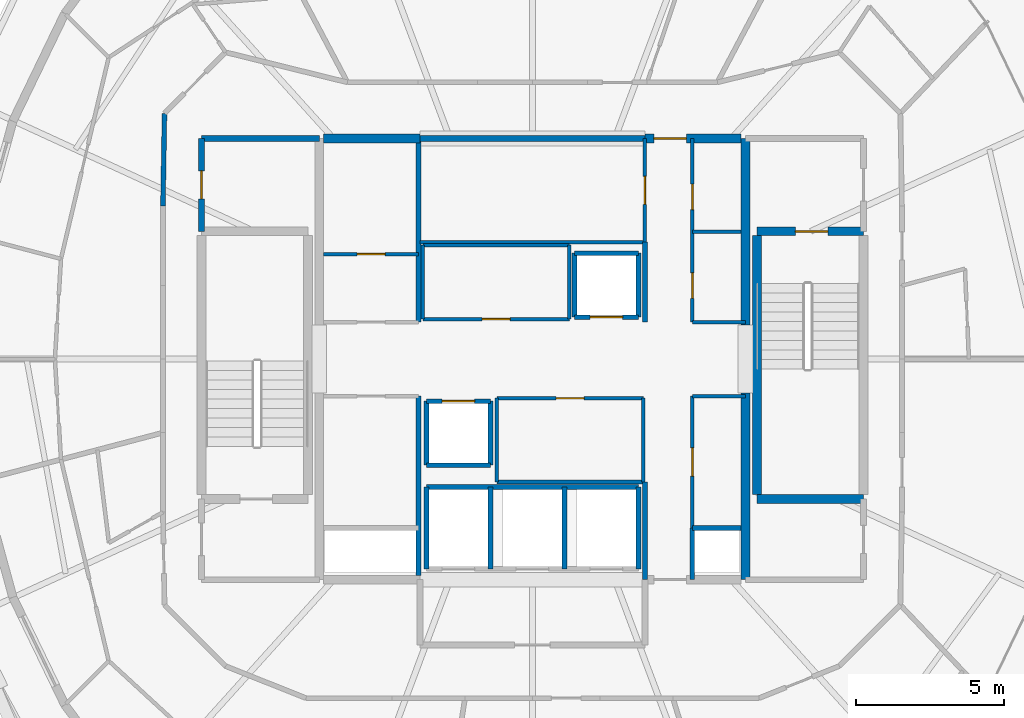
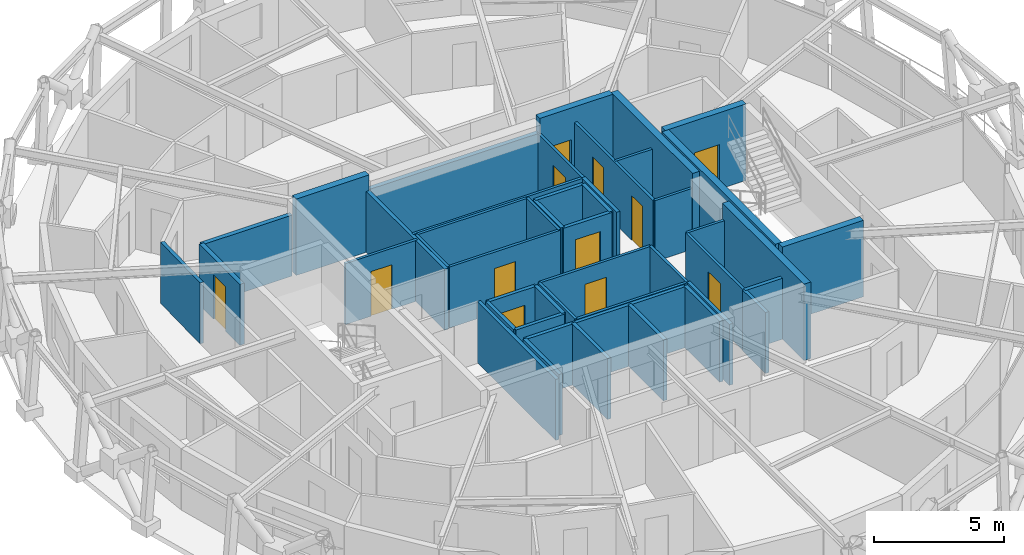
# One storey, part 12 of 15: 46 walls, 12 doors, 12 openings.
"""IFC4 building model written with IfcOpenShell, lengths in metres."""

from ifc_helpers import new_model, si_unit, direction, frame, frame_2d, origin, place, context, subcontext, project, spatial, rectangle, extrude, material, layer, layer_set, type_object, element, fill, save


model = new_model("IFC4")

# Units and contexts
model_context = context("Model", 3, precision=1e-05, world=origin(), true_north=direction((0.0, 1.0)))
body_context = subcontext(model_context, "Body", "Model", "MODEL_VIEW")
ifc_project = project(units=[si_unit("LENGTHUNIT", "METRE"), si_unit("AREAUNIT", "SQUARE_METRE"), si_unit("VOLUMEUNIT", "CUBIC_METRE"), si_unit("PLANEANGLEUNIT", "RADIAN"), si_unit("MASSUNIT", "GRAM", prefix="KILO")], contexts=[model_context])

# Site, building, storey
site_placement = place(None, origin())
site = spatial("IfcSite", under=ifc_project, at=site_placement, CompositionType="ELEMENT")
building_placement = place(site_placement, origin())
building = spatial("IfcBuilding", under=site, at=building_placement, Name="Veldorina Hangang Commons", CompositionType="ELEMENT")
storey_placement = place(building_placement, frame((0.0, 0.0, 276.0)))
storey = spatial("IfcBuildingStorey", under=building, at=storey_placement, Name="L72", CompositionType="ELEMENT", Elevation=276.0)

# Walls
ifc_material_1 = material(Name="Concrete C50/60", Category="concrete")
ifc_layer_1 = layer(ifc_material_1, 0.300048828125)
ifc_layer_set_1 = layer_set([ifc_layer_1], Name="Concrete C50/60")
wall_type_1 = type_object("IfcWallType", Name="CW-RC300-C50", PredefinedType="SHEAR", material=ifc_layer_set_1)
for number, where, z_axis, x_axis, name in (
    (1, (39.199951171875, 16.550048828125, 0.0), (0.0, 0.0, 1.0), (0.0, 1.0, 0.0), "L72 E south core shear wall"),
    (2, (39.199951171875, 25.14990234375, 0.0), (0.0, 0.0, 1.0), (0.0, 1.0, 0.0), "L72 E north core shear wall"),
):
    element("IfcWall", number, at=place(storey_placement, frame(where, z_axis=z_axis, x_axis=x_axis)), inside=storey, type_object=wall_type_1, Name=name, PredefinedType="SHEAR", context=body_context, shape_type="SweptSolid", body=[
        extrude(rectangle(XDim=6.300048828125, YDim=0.300048828125, at=frame_2d((3.14990234375, 0.0))), origin(), (0.0, 0.0, 1.0), 3.60009765625),
    ])
wall_1_placement = place(storey_placement, frame((24.949951171875, 31.449951171875, 0.0), z_axis=(0.0, 0.0, 1.0), x_axis=(1.0, 0.0, 0.0)))
element("IfcWall", 3, at=wall_1_placement, inside=storey, type_object=wall_type_1, Name="L72 north-west core shear wall", PredefinedType="SHEAR", context=body_context, shape_type="SweptSolid", body=[
    extrude(rectangle(XDim=3.25, YDim=0.300048828125, at=frame_2d((1.625, 0.0))), origin(), (0.0, 0.0, 1.0), 3.60009765625),
])

# Wall, opening, door
wall_2_placement = place(storey_placement, frame((35.800048828125, 31.449951171875, 0.0), z_axis=(0.0, 0.0, 1.0), x_axis=(1.0, 0.0, 0.0)))
wall_2 = element("IfcWall", 4, at=wall_2_placement, inside=storey, type_object=wall_type_1, Name="L72 north-east core shear wall", PredefinedType="SHEAR", context=body_context, shape_type="SweptSolid", body=[
    extrude(rectangle(XDim=3.25, YDim=0.300048828125, at=frame_2d((1.625, 0.0))), origin(), (0.0, 0.0, 1.0), 3.60009765625),
])
opening_1_placement = place(wall_2_placement, frame((0.300048828125, 0.0, 0.0)))
opening_1 = element("IfcOpeningElement", 5, at=opening_1_placement, cuts=wall_2, Name="Opening D-08", PredefinedType="OPENING", context=body_context, shape_type="SweptSolid", body=[
    extrude(rectangle(XDim=1.10009765625, YDim=2.10009765625, at=frame_2d((0.550048828125, 1.050048828125))), frame((0.0, 0.16015625, 0.0), z_axis=(0.0, -1.0, 0.0), x_axis=(1.0, 0.0, 0.0)), (0.0, 0.0, 1.0), 0.320068359375),
])
ifc_material_2 = material(Name="Steel Fire-Rated Smoke Seal", Category="steel")
door_type_1 = type_object("IfcDoorType", Name="DR-FIRE-1100", OperationType="SINGLE_SWING_RIGHT", PredefinedType="DOOR", material=ifc_material_2)
door_1_placement = place(opening_1_placement, origin())
door_1 = element("IfcDoor", 6, at=door_1_placement, inside=storey, type_object=door_type_1, Name="L72 central lift lobby north corridor door", OperationType="SINGLE_SWING_LEFT", OverallHeight=2.10009765625, OverallWidth=1.10009765625, PredefinedType="DOOR", context=body_context, shape_type="SweptSolid", body=[
    extrude(rectangle(XDim=1.10009765625, YDim=2.10009765625, at=frame_2d((0.550048828125, 1.050048828125))), frame((0.0, 0.02490234375, 0.0), z_axis=(0.0, -1.0, 0.0), x_axis=(1.0, 0.0, 0.0)), (0.0, 0.0, 1.0), 0.050048828125),
])
fill(opening_1, door_1)

# Walls
ifc_layer_2 = layer(ifc_material_1, 0.300048828125)
ifc_layer_set_2 = layer_set([ifc_layer_2], Name="Concrete C50/60")
wall_type_2 = type_object("IfcWallType", Name="SW-STAIR-300", PredefinedType="SHEAR", material=ifc_layer_set_2)
wall_3_placement = place(storey_placement, frame((39.580078125, 19.429931640625, 0.0), z_axis=(0.0, 0.0, 1.0), x_axis=(0.0, 1.0, 0.0)))
element("IfcWall", 7, at=wall_3_placement, inside=storey, type_object=wall_type_2, Name="L72 ST2 inner stair shear wall", PredefinedType="SHEAR", context=body_context, shape_type="SweptSolid", body=[
    extrude(rectangle(XDim=8.739990234375, YDim=0.300048828125, at=frame_2d((4.3701171875, 0.0))), origin(), (0.0, 0.0, 1.0), 3.60009765625),
])
wall_4_placement = place(storey_placement, frame((39.580078125, 19.280029296875, 0.0), z_axis=(0.0, 0.0, 1.0), x_axis=(1.0, 0.0, 0.0)))
element("IfcWall", 8, at=wall_4_placement, inside=storey, type_object=wall_type_2, Name="L72 ST2 south stair shear wall", PredefinedType="SHEAR", context=body_context, shape_type="SweptSolid", body=[
    extrude(rectangle(XDim=3.599853515625, YDim=0.300048828125, at=frame_2d((1.7998046875, 0.0))), origin(), (0.0, 0.0, 1.0), 3.60009765625),
])

# Wall, opening, door
wall_5_placement = place(storey_placement, frame((39.580078125, 28.320068359375, 0.0), z_axis=(0.0, 0.0, 1.0), x_axis=(1.0, 0.0, 0.0)))
wall_5 = element("IfcWall", 9, at=wall_5_placement, inside=storey, type_object=wall_type_2, Name="L72 ST2 north stair shear wall", PredefinedType="SHEAR", context=body_context, shape_type="SweptSolid", body=[
    extrude(rectangle(XDim=3.599853515625, YDim=0.300048828125, at=frame_2d((1.7998046875, 0.0))), origin(), (0.0, 0.0, 1.0), 3.60009765625),
])
opening_2_placement = place(wall_5_placement, frame((1.300048828125, 0.0, 0.0)))
opening_2 = element("IfcOpeningElement", 10, at=opening_2_placement, cuts=wall_5, Name="Opening D-08", PredefinedType="OPENING", context=body_context, shape_type="SweptSolid", body=[
    extrude(rectangle(XDim=1.10009765625, YDim=2.10009765625, at=frame_2d((0.550048828125, 1.050048828125))), frame((0.0, 0.16015625, 0.0), z_axis=(0.0, -1.0, 0.0), x_axis=(1.0, 0.0, 0.0)), (0.0, 0.0, 1.0), 0.320068359375),
])
door_2_placement = place(opening_2_placement, origin())
door_2 = element("IfcDoor", 11, at=door_2_placement, inside=storey, type_object=door_type_1, Name="L72 Special Escape Stair ST-2 door", OperationType="SINGLE_SWING_RIGHT", OverallHeight=2.10009765625, OverallWidth=1.10009765625, PredefinedType="DOOR", context=body_context, shape_type="SweptSolid", body=[
    extrude(rectangle(XDim=1.10009765625, YDim=2.10009765625, at=frame_2d((0.550048828125, 1.050048828125))), frame((0.0, 0.02490234375, 0.0), z_axis=(0.0, -1.0, 0.0), x_axis=(1.0, 0.0, 0.0)), (0.0, 0.0, 1.0), 0.050048828125),
])
fill(opening_2, door_2)

# Walls
ifc_material_3 = material(Name="Gypsum Fire-Rated Twin Stud Wall", Category="gypsum")
ifc_layer_3 = layer(ifc_material_3, 0.159912109375)
ifc_layer_set_3 = layer_set([ifc_layer_3], Name="Gypsum Fire-Rated Twin Stud Wall")
wall_type_3 = type_object("IfcWallType", Name="WL-FIRE-160", PredefinedType="SOLIDWALL", material=ifc_layer_set_3)
wall_6_placement = place(storey_placement, frame((35.800048828125, 16.550048828125, 0.0), z_axis=(0.0, 0.0, 1.0), x_axis=(0.0, 1.0, 0.0)))
element("IfcWall", 12, at=wall_6_placement, inside=storey, type_object=wall_type_3, Name="L72 Lift passage SW wall 009", PredefinedType="SOLIDWALL", context=body_context, shape_type="SweptSolid", body=[
    extrude(rectangle(XDim=3.300048828125, YDim=0.159912109375, at=frame_2d((1.64990234375, 0.0))), origin(), (0.0, 0.0, 1.0), 2.8701171875),
])
wall_7_placement = place(storey_placement, frame((37.39990234375, 16.550048828125, 0.0), z_axis=(0.0, 0.0, 1.0), x_axis=(0.0, 1.0, 0.0)))
element("IfcWall", 13, at=wall_7_placement, inside=storey, type_object=wall_type_3, Name="L72 Lift passage SE stub 010", PredefinedType="SOLIDWALL", context=body_context, shape_type="SweptSolid", body=[
    extrude(rectangle(XDim=1.75, YDim=0.159912109375, at=frame_2d((0.875, 0.0))), origin(), (0.0, 0.0, 1.0), 2.8701171875),
])
wall_8_placement = place(storey_placement, frame((35.800048828125, 25.25, 0.0), z_axis=(0.0, 0.0, 1.0), x_axis=(0.0, 1.0, 0.0)))
element("IfcWall", 14, at=wall_8_placement, inside=storey, type_object=wall_type_3, Name="L72 Lift passage NW lower wall 011", PredefinedType="SOLIDWALL", context=body_context, shape_type="SweptSolid", body=[
    extrude(rectangle(XDim=2.699951171875, YDim=0.159912109375, at=frame_2d((1.35009765625, 0.0))), origin(), (0.0, 0.0, 1.0), 2.8701171875),
])

# Wall, opening, door
wall_9_placement = place(storey_placement, frame((33.419921875, 25.419921875, 0.0), z_axis=(0.0, 0.0, 1.0), x_axis=(1.0, 0.0, 0.0)))
wall_9 = element("IfcWall", 15, at=wall_9_placement, inside=storey, type_object=wall_type_3, Name="L72 Mid-high front shaft wall 015", PredefinedType="SOLIDWALL", context=body_context, shape_type="SweptSolid", body=[
    extrude(rectangle(XDim=2.16015625, YDim=0.159912109375, at=frame_2d((1.080078125, 0.0))), origin(), (0.0, 0.0, 1.0), 2.8701171875),
])
opening_3_placement = place(wall_9_placement, frame((0.530029296875, 0.0, 0.0)))
opening_3 = element("IfcOpeningElement", 16, at=opening_3_placement, cuts=wall_9, Name="Opening LD-01", PredefinedType="OPENING", context=body_context, shape_type="SweptSolid", body=[
    extrude(rectangle(XDim=1.10009765625, YDim=2.14990234375, at=frame_2d((0.550048828125, 1.074951171875))), frame((0.0, 0.08984375, 0.0), z_axis=(0.0, -1.0, 0.0), x_axis=(1.0, 0.0, 0.0)), (0.0, 0.0, 1.0), 0.179931640625),
])
ifc_material_4 = material(Name="Stainless Steel Brushed Lift Door", Category="steel")
door_type_2 = type_object("IfcDoorType", Name="DR-LIFT-1100", OperationType="SLIDING_TO_LEFT", PredefinedType="DOOR", material=ifc_material_4)
door_3_placement = place(opening_3_placement, origin())
door_3 = element("IfcDoor", 17, at=door_3_placement, inside=storey, type_object=door_type_2, Name="L72 Lift PL-H1 landing door 006", OperationType="SLIDING_TO_RIGHT", OverallHeight=2.14990234375, OverallWidth=1.10009765625, PredefinedType="DOOR", context=body_context, shape_type="SweptSolid", body=[
    extrude(rectangle(XDim=1.10009765625, YDim=2.14990234375, at=frame_2d((0.550048828125, 1.074951171875))), frame((0.0, 0.02490234375, 0.0), z_axis=(0.0, -1.0, 0.0), x_axis=(1.0, 0.0, 0.0)), (0.0, 0.0, 1.0), 0.050048828125),
])
fill(opening_3, door_3)

# Walls
for number, where, z_axis, x_axis, name in (
    (18, (33.419921875, 27.580078125, 0.0), (0.0, 0.0, 1.0), (1.0, 0.0, 0.0), "L72 Mid-high rear shaft wall 016"),
    (19, (33.419921875, 25.419921875, 0.0), (0.0, 0.0, 1.0), (0.0, 1.0, 0.0), "L72 PL-H1 west shaft wall 017"),
    (20, (35.580078125, 25.419921875, 0.0), (0.0, 0.0, 1.0), (0.0, 1.0, 0.0), "L72 PL-H1 east shaft wall 018"),
):
    element("IfcWall", number, at=place(storey_placement, frame(where, z_axis=z_axis, x_axis=x_axis)), inside=storey, type_object=wall_type_3, Name=name, PredefinedType="SOLIDWALL", context=body_context, shape_type="SweptSolid", body=[
        extrude(rectangle(XDim=2.16015625, YDim=0.159912109375, at=frame_2d((1.080078125, 0.0))), origin(), (0.0, 0.0, 1.0), 2.8701171875),
    ])

# Wall, opening, door
wall_10_placement = place(storey_placement, frame((28.419921875, 22.580078125, 0.0), z_axis=(0.0, 0.0, 1.0), x_axis=(1.0, 0.0, 0.0)))
wall_10 = element("IfcWall", 21, at=wall_10_placement, inside=storey, type_object=wall_type_3, Name="L72 Shuttle-high front shaft wall 019", PredefinedType="SOLIDWALL", context=body_context, shape_type="SweptSolid", body=[
    extrude(rectangle(XDim=2.16015625, YDim=0.159912109375, at=frame_2d((1.080078125, 0.0))), origin(), (0.0, 0.0, 1.0), 2.8701171875),
])
opening_4_placement = place(wall_10_placement, frame((0.530029296875, 0.0, 0.0)))
opening_4 = element("IfcOpeningElement", 22, at=opening_4_placement, cuts=wall_10, Name="Opening LD-01", PredefinedType="OPENING", context=body_context, shape_type="SweptSolid", body=[
    extrude(rectangle(XDim=1.10009765625, YDim=2.14990234375, at=frame_2d((0.550048828125, 1.074951171875))), frame((0.0, 0.08984375, 0.0), z_axis=(0.0, -1.0, 0.0), x_axis=(1.0, 0.0, 0.0)), (0.0, 0.0, 1.0), 0.179931640625),
])
door_4_placement = place(opening_4_placement, origin())
door_4 = element("IfcDoor", 23, at=door_4_placement, inside=storey, type_object=door_type_2, Name="L72 Lift PL-H2 landing door 007", OperationType="SLIDING_TO_LEFT", OverallHeight=2.14990234375, OverallWidth=1.10009765625, PredefinedType="DOOR", context=body_context, shape_type="SweptSolid", body=[
    extrude(rectangle(XDim=1.10009765625, YDim=2.14990234375, at=frame_2d((0.550048828125, 1.074951171875))), frame((0.0, 0.02490234375, 0.0), z_axis=(0.0, -1.0, 0.0), x_axis=(1.0, 0.0, 0.0)), (0.0, 0.0, 1.0), 0.050048828125),
])
fill(opening_4, door_4)

# Walls
for number, where, z_axis, x_axis, name in (
    (24, (28.419921875, 20.419921875, 0.0), (0.0, 0.0, 1.0), (1.0, 0.0, 0.0), "L72 Shuttle-high rear shaft wall 020"),
    (25, (28.419921875, 20.419921875, 0.0), (0.0, 0.0, 1.0), (0.0, 1.0, 0.0), "L72 PL-H2 west shaft wall 021"),
    (26, (30.580078125, 20.419921875, 0.0), (0.0, 0.0, 1.0), (0.0, 1.0, 0.0), "L72 PL-H2 east shaft wall 022"),
):
    element("IfcWall", number, at=place(storey_placement, frame(where, z_axis=z_axis, x_axis=x_axis)), inside=storey, type_object=wall_type_3, Name=name, PredefinedType="SOLIDWALL", context=body_context, shape_type="SweptSolid", body=[
        extrude(rectangle(XDim=2.16015625, YDim=0.159912109375, at=frame_2d((1.080078125, 0.0))), origin(), (0.0, 0.0, 1.0), 2.8701171875),
    ])
wall_11_placement = place(storey_placement, frame((28.419921875, 19.679931640625, 0.0), z_axis=(0.0, 0.0, 1.0), x_axis=(1.0, 0.0, 0.0)))
element("IfcWall", 27, at=wall_11_placement, inside=storey, type_object=wall_type_3, Name="L72 Emergency rear shaft wall 024", PredefinedType="SOLIDWALL", context=body_context, shape_type="SweptSolid", body=[
    extrude(rectangle(XDim=7.16015625, YDim=0.159912109375, at=frame_2d((3.580078125, 0.0))), origin(), (0.0, 0.0, 1.0), 2.8701171875),
])
for number, where, z_axis, x_axis, name in (
    (28, (28.419921875, 16.919921875, 0.0), (0.0, 0.0, 1.0), (0.0, 1.0, 0.0), "L72 FFL-1 west shaft wall 025"),
    (29, (30.580078125, 16.919921875, 0.0), (0.0, 0.0, 1.0), (0.0, 1.0, 0.0), "L72 FFL-1 east shaft wall 026"),
    (30, (33.080078125, 16.919921875, 0.0), (0.0, 0.0, 1.0), (0.0, 1.0, 0.0), "L72 FFL-2 east shaft wall 027"),
    (31, (35.580078125, 16.919921875, 0.0), (0.0, 0.0, 1.0), (0.0, 1.0, 0.0), "L72 EVL-1 east shaft wall 028"),
):
    element("IfcWall", number, at=place(storey_placement, frame(where, z_axis=z_axis, x_axis=x_axis)), inside=storey, type_object=wall_type_3, Name=name, PredefinedType="SOLIDWALL", context=body_context, shape_type="SweptSolid", body=[
        extrude(rectangle(XDim=2.760009765625, YDim=0.159912109375, at=frame_2d((1.3798828125, 0.0))), origin(), (0.0, 0.0, 1.0), 2.8701171875),
    ])
wall_12_placement = place(storey_placement, frame((28.14990234375, 16.699951171875, 0.0), z_axis=(0.0, 0.0, 1.0), x_axis=(0.0, 1.0, 0.0)))
element("IfcWall", 32, at=wall_12_placement, inside=storey, type_object=wall_type_3, Name="L72 SW core inner wall 041", PredefinedType="SOLIDWALL", context=body_context, shape_type="SweptSolid", body=[
    extrude(rectangle(XDim=6.050048828125, YDim=0.159912109375, at=frame_2d((3.02490234375, 0.0))), origin(), (0.0, 0.0, 1.0), 2.8701171875),
])
wall_13_placement = place(storey_placement, frame((37.39990234375, 18.300048828125, 0.0), z_axis=(0.0, 0.0, 1.0), x_axis=(1.0, 0.0, 0.0)))
element("IfcWall", 33, at=wall_13_placement, inside=storey, type_object=wall_type_3, Name="L72 Plumbing riser wall 042", PredefinedType="SOLIDWALL", context=body_context, shape_type="SweptSolid", body=[
    extrude(rectangle(XDim=1.650146484375, YDim=0.159912109375, at=frame_2d((0.8251953125, 0.0))), origin(), (0.0, 0.0, 1.0), 2.8701171875),
])
wall_14_placement = place(storey_placement, frame((28.14990234375, 25.25, 0.0), z_axis=(0.0, 0.0, 1.0), x_axis=(0.0, 1.0, 0.0)))
element("IfcWall", 34, at=wall_14_placement, inside=storey, type_object=wall_type_3, Name="L72 NW core inner wall 043", PredefinedType="SOLIDWALL", context=body_context, shape_type="SweptSolid", body=[
    extrude(rectangle(XDim=6.10009765625, YDim=0.159912109375, at=frame_2d((3.050048828125, 0.0))), origin(), (0.0, 0.0, 1.0), 2.8701171875),
])
wall_15_placement = place(storey_placement, frame((19.5732421875, 32.30322265625, 0.0), z_axis=(0.0, 0.0, 1.0), x_axis=(-0.016981035134, -0.999855811828, 0.0)))
element("IfcWall", 35, at=wall_15_placement, inside=storey, type_object=wall_type_3, Name="L72 Compact collar outer wall 13 065", PredefinedType="SOLIDWALL", context=body_context, shape_type="SweptSolid", body=[
    extrude(rectangle(XDim=3.13427734375, YDim=0.159912109375, at=frame_2d((1.567138671875, 0.0))), origin(), (0.0, 0.0, 1.0), 2.8701171875),
])

# Wall, opening, door
ifc_material_5 = material(Name="Concrete Blockwork Fire Wall C30/37", Category="masonry")
ifc_layer_4 = layer(ifc_material_5, 0.199951171875)
ifc_layer_set_4 = layer_set([ifc_layer_4], Name="Concrete Blockwork Fire Wall C30/37")
wall_type_4 = type_object("IfcWallType", Name="WL-FIRE-200", PredefinedType="SOLIDWALL", material=ifc_layer_set_4)
wall_16_placement = place(storey_placement, frame((20.820068359375, 28.320068359375, 0.0), z_axis=(0.0, 0.0, 1.0), x_axis=(0.0, 1.0, 0.0)))
wall_16 = element("IfcWall", 36, at=wall_16_placement, inside=storey, type_object=wall_type_4, Name="L72 NW core room outer wall 005", PredefinedType="SOLIDWALL", context=body_context, shape_type="SweptSolid", body=[
    extrude(rectangle(XDim=3.1298828125, YDim=0.199951171875, at=frame_2d((1.56494140625, 0.0))), origin(), (0.0, 0.0, 1.0), 2.8701171875),
])
opening_5_placement = place(wall_16_placement, frame((1.090087890625, 0.0, 0.0)))
opening_5 = element("IfcOpeningElement", 37, at=opening_5_placement, cuts=wall_16, Name="Opening D-04", PredefinedType="OPENING", context=body_context, shape_type="SweptSolid", body=[
    extrude(rectangle(XDim=0.949951171875, YDim=2.10009765625, at=frame_2d((0.47509765625, 1.050048828125))), frame((0.0, 0.10986328125, 0.0), z_axis=(0.0, -1.0, 0.0), x_axis=(1.0, 0.0, 0.0)), (0.0, 0.0, 1.0), 0.219970703125),
])
ifc_material_6 = material(Name="Timber Accessible Flush Leaf", Category="wood")
door_type_3 = type_object("IfcDoorType", Name="DR-ACC-950", OperationType="SINGLE_SWING_LEFT", PredefinedType="DOOR", material=ifc_material_6)
door_5_placement = place(opening_5_placement, origin())
door_5 = element("IfcDoor", 38, at=door_5_placement, inside=storey, type_object=door_type_3, Name="L72 NW core WC door 003", OperationType="SINGLE_SWING_LEFT", OverallHeight=2.10009765625, OverallWidth=0.949951171875, PredefinedType="DOOR", context=body_context, shape_type="SweptSolid", body=[
    extrude(rectangle(XDim=0.949951171875, YDim=2.10009765625, at=frame_2d((0.47509765625, 1.050048828125))), frame((0.0, 0.02490234375, 0.0), z_axis=(0.0, -1.0, 0.0), x_axis=(1.0, 0.0, 0.0)), (0.0, 0.0, 1.0), 0.050048828125),
])
fill(opening_5, door_5)

# Walls
wall_17_placement = place(storey_placement, frame((20.820068359375, 31.449951171875, 0.0), z_axis=(0.0, 0.0, 1.0), x_axis=(1.0, 0.0, 0.0)))
element("IfcWall", 39, at=wall_17_placement, inside=storey, type_object=wall_type_4, Name="L72 NW core room north wall 006", PredefinedType="SOLIDWALL", context=body_context, shape_type="SweptSolid", body=[
    extrude(rectangle(XDim=3.97998046875, YDim=0.199951171875, at=frame_2d((1.989990234375, 0.0))), origin(), (0.0, 0.0, 1.0), 2.8701171875),
])
wall_18_placement = place(storey_placement, frame((28.199951171875, 31.449951171875, 0.0), z_axis=(0.0, 0.0, 1.0), x_axis=(1.0, 0.0, 0.0)))
element("IfcWall", 40, at=wall_18_placement, inside=storey, type_object=wall_type_4, Name="L72 Merged north core wall 029", PredefinedType="SOLIDWALL", context=body_context, shape_type="SweptSolid", body=[
    extrude(rectangle(XDim=7.60009765625, YDim=0.199951171875, at=frame_2d((3.800048828125, 0.0))), origin(), (0.0, 0.0, 1.0), 2.8701171875),
])
ifc_material_7 = material(Name="Gypsum Acoustic Stud Partition", Category="gypsum")
ifc_layer_5 = layer(ifc_material_7, 0.1201171875)
ifc_layer_set_5 = layer_set([ifc_layer_5], Name="Gypsum Acoustic Stud Partition")
wall_type_5 = type_object("IfcWallType", Name="WL-PART-120", PredefinedType="PARTITIONING", material=ifc_layer_set_5)
wall_19_placement = place(storey_placement, frame((28.199951171875, 27.949951171875, 0.0), z_axis=(0.0, 0.0, 1.0), x_axis=(1.0, 0.0, 0.0)))
element("IfcWall", 41, at=wall_19_placement, inside=storey, type_object=wall_type_5, Name="L72 Merged north south wall 030", PredefinedType="PARTITIONING", context=body_context, shape_type="SweptSolid", body=[
    extrude(rectangle(XDim=7.60009765625, YDim=0.1201171875, at=frame_2d((3.800048828125, 0.0))), origin(), (0.0, 0.0, 1.0), 2.8701171875),
])

# Wall, opening, door
wall_20_placement = place(storey_placement, frame((35.800048828125, 27.949951171875, 0.0), z_axis=(0.0, 0.0, 1.0), x_axis=(0.0, 1.0, 0.0)))
wall_20 = element("IfcWall", 42, at=wall_20_placement, inside=storey, type_object=wall_type_5, Name="L72 Merged north east wall 031", PredefinedType="PARTITIONING", context=body_context, shape_type="SweptSolid", body=[
    extrude(rectangle(XDim=3.5, YDim=0.1201171875, at=frame_2d((1.75, 0.0))), origin(), (0.0, 0.0, 1.0), 2.8701171875),
])
opening_6_placement = place(wall_20_placement, frame((1.27490234375, 0.0, 0.0)))
opening_6 = element("IfcOpeningElement", 43, at=opening_6_placement, cuts=wall_20, Name="Opening D-02", PredefinedType="OPENING", context=body_context, shape_type="SweptSolid", body=[
    extrude(rectangle(XDim=0.949951171875, YDim=2.10009765625, at=frame_2d((0.47509765625, 1.050048828125))), frame((0.0, 0.070068359375, 0.0), z_axis=(0.0, -1.0, 0.0), x_axis=(1.0, 0.0, 0.0)), (0.0, 0.0, 1.0), 0.14013671875),
])
ifc_material_8 = material(Name="Timber Solid Core Acoustic", Category="wood")
door_type_4 = type_object("IfcDoorType", Name="DR-INT-950", OperationType="SINGLE_SWING_LEFT", PredefinedType="DOOR", material=ifc_material_8)
door_6_placement = place(opening_6_placement, origin())
door_6 = element("IfcDoor", 44, at=door_6_placement, inside=storey, type_object=door_type_4, Name="L72 Merged north room lobby door 011", OperationType="SINGLE_SWING_LEFT", OverallHeight=2.10009765625, OverallWidth=0.949951171875, PredefinedType="DOOR", context=body_context, shape_type="SweptSolid", body=[
    extrude(rectangle(XDim=0.949951171875, YDim=2.10009765625, at=frame_2d((0.47509765625, 1.050048828125))), frame((0.0, 0.02490234375, 0.0), z_axis=(0.0, -1.0, 0.0), x_axis=(1.0, 0.0, 0.0)), (0.0, 0.0, 1.0), 0.050048828125),
])
fill(opening_6, door_6)

wall_21_placement = place(storey_placement, frame((28.300048828125, 25.35009765625, 0.0), z_axis=(0.0, 0.0, 1.0), x_axis=(1.0, 0.0, 0.0)))
wall_21 = element("IfcWall", 45, at=wall_21_placement, inside=storey, type_object=wall_type_5, Name="L72 Merged mid-bank south wall 032", PredefinedType="PARTITIONING", context=body_context, shape_type="SweptSolid", body=[
    extrude(rectangle(XDim=4.949951171875, YDim=0.1201171875, at=frame_2d((2.47509765625, 0.0))), origin(), (0.0, 0.0, 1.0), 2.8701171875),
])
opening_7_placement = place(wall_21_placement, frame((2.0, 0.0, 0.0)))
opening_7 = element("IfcOpeningElement", 46, at=opening_7_placement, cuts=wall_21, Name="Opening D-02", PredefinedType="OPENING", context=body_context, shape_type="SweptSolid", body=[
    extrude(rectangle(XDim=0.949951171875, YDim=2.10009765625, at=frame_2d((0.47509765625, 1.050048828125))), frame((0.0, 0.070068359375, 0.0), z_axis=(0.0, -1.0, 0.0), x_axis=(1.0, 0.0, 0.0)), (0.0, 0.0, 1.0), 0.14013671875),
])
door_7_placement = place(opening_7_placement, origin())
door_7 = element("IfcDoor", 47, at=door_7_placement, inside=storey, type_object=door_type_4, Name="L72 Quiet study room door 012", OperationType="SINGLE_SWING_RIGHT", OverallHeight=2.10009765625, OverallWidth=0.949951171875, PredefinedType="DOOR", context=body_context, shape_type="SweptSolid", body=[
    extrude(rectangle(XDim=0.949951171875, YDim=2.10009765625, at=frame_2d((0.47509765625, 1.050048828125))), frame((0.0, 0.02490234375, 0.0), z_axis=(0.0, -1.0, 0.0), x_axis=(1.0, 0.0, 0.0)), (0.0, 0.0, 1.0), 0.050048828125),
])
fill(opening_7, door_7)

# Walls
wall_22_placement = place(storey_placement, frame((28.300048828125, 27.85009765625, 0.0), z_axis=(0.0, 0.0, 1.0), x_axis=(1.0, 0.0, 0.0)))
element("IfcWall", 48, at=wall_22_placement, inside=storey, type_object=wall_type_5, Name="L72 Merged mid-bank north wall 033", PredefinedType="PARTITIONING", context=body_context, shape_type="SweptSolid", body=[
    extrude(rectangle(XDim=4.949951171875, YDim=0.1201171875, at=frame_2d((2.47509765625, 0.0))), origin(), (0.0, 0.0, 1.0), 2.8701171875),
])
for number, where, z_axis, x_axis, name in (
    (49, (28.300048828125, 25.35009765625, 0.0), (0.0, 0.0, 1.0), (0.0, 1.0, 0.0), "L72 Merged mid-bank west wall 034"),
    (50, (33.25, 25.35009765625, 0.0), (0.0, 0.0, 1.0), (0.0, 1.0, 0.0), "L72 Merged mid-bank east wall 035"),
):
    element("IfcWall", number, at=place(storey_placement, frame(where, z_axis=z_axis, x_axis=x_axis)), inside=storey, type_object=wall_type_5, Name=name, PredefinedType="PARTITIONING", context=body_context, shape_type="SweptSolid", body=[
        extrude(rectangle(XDim=2.5, YDim=0.1201171875, at=frame_2d((1.25, 0.0))), origin(), (0.0, 0.0, 1.0), 2.8701171875),
    ])

# Wall, opening, door
wall_23_placement = place(storey_placement, frame((30.800048828125, 22.679931640625, 0.0), z_axis=(0.0, 0.0, 1.0), x_axis=(1.0, 0.0, 0.0)))
wall_23 = element("IfcWall", 51, at=wall_23_placement, inside=storey, type_object=wall_type_5, Name="L72 Merged shuttle north wall 036", PredefinedType="PARTITIONING", context=body_context, shape_type="SweptSolid", body=[
    extrude(rectangle(XDim=4.949951171875, YDim=0.1201171875, at=frame_2d((2.47509765625, 0.0))), origin(), (0.0, 0.0, 1.0), 2.8701171875),
])
opening_8_placement = place(wall_23_placement, frame((2.0, 0.0, 0.0)))
opening_8 = element("IfcOpeningElement", 52, at=opening_8_placement, cuts=wall_23, Name="Opening D-02", PredefinedType="OPENING", context=body_context, shape_type="SweptSolid", body=[
    extrude(rectangle(XDim=0.949951171875, YDim=2.10009765625, at=frame_2d((0.47509765625, 1.050048828125))), frame((0.0, 0.070068359375, 0.0), z_axis=(0.0, -1.0, 0.0), x_axis=(1.0, 0.0, 0.0)), (0.0, 0.0, 1.0), 0.14013671875),
])
door_8_placement = place(opening_8_placement, origin())
door_8 = element("IfcDoor", 53, at=door_8_placement, inside=storey, type_object=door_type_4, Name="L72 Floor tea pantry door 013", OperationType="SINGLE_SWING_LEFT", OverallHeight=2.10009765625, OverallWidth=0.949951171875, PredefinedType="DOOR", context=body_context, shape_type="SweptSolid", body=[
    extrude(rectangle(XDim=0.949951171875, YDim=2.10009765625, at=frame_2d((0.47509765625, 1.050048828125))), frame((0.0, 0.02490234375, 0.0), z_axis=(0.0, -1.0, 0.0), x_axis=(1.0, 0.0, 0.0)), (0.0, 0.0, 1.0), 0.050048828125),
])
fill(opening_8, door_8)

# Walls
wall_24_placement = place(storey_placement, frame((30.800048828125, 19.85009765625, 0.0), z_axis=(0.0, 0.0, 1.0), x_axis=(1.0, 0.0, 0.0)))
element("IfcWall", 54, at=wall_24_placement, inside=storey, type_object=wall_type_5, Name="L72 Merged shuttle south wall 037", PredefinedType="PARTITIONING", context=body_context, shape_type="SweptSolid", body=[
    extrude(rectangle(XDim=4.949951171875, YDim=0.1201171875, at=frame_2d((2.47509765625, 0.0))), origin(), (0.0, 0.0, 1.0), 2.8701171875),
])
for number, where, z_axis, x_axis, name in (
    (55, (30.800048828125, 19.85009765625, 0.0), (0.0, 0.0, 1.0), (0.0, 1.0, 0.0), "L72 Merged shuttle west wall 038"),
    (56, (35.75, 19.85009765625, 0.0), (0.0, 0.0, 1.0), (0.0, 1.0, 0.0), "L72 Merged shuttle east wall 039"),
):
    element("IfcWall", number, at=place(storey_placement, frame(where, z_axis=z_axis, x_axis=x_axis)), inside=storey, type_object=wall_type_5, Name=name, PredefinedType="PARTITIONING", context=body_context, shape_type="SweptSolid", body=[
        extrude(rectangle(XDim=2.829833984375, YDim=0.1201171875, at=frame_2d((1.4150390625, 0.0))), origin(), (0.0, 0.0, 1.0), 2.8701171875),
    ])

# Wall, openings, doors
wall_25_placement = place(storey_placement, frame((37.39990234375, 25.25, 0.0), z_axis=(0.0, 0.0, 1.0), x_axis=(0.0, 1.0, 0.0)))
wall_25 = element("IfcWall", 57, at=wall_25_placement, inside=storey, type_object=wall_type_5, Name="L72 NE strip lobby wall 046", PredefinedType="PARTITIONING", context=body_context, shape_type="SweptSolid", body=[
    extrude(rectangle(XDim=6.199951171875, YDim=0.1201171875, at=frame_2d((3.10009765625, 0.0))), origin(), (0.0, 0.0, 1.0), 2.8701171875),
])
opening_9_placement = place(wall_25_placement, frame((0.800048828125, 0.0, 0.0)))
opening_9 = element("IfcOpeningElement", 58, at=opening_9_placement, cuts=wall_25, Name="Opening D-01", PredefinedType="OPENING", context=body_context, shape_type="SweptSolid", body=[
    extrude(rectangle(XDim=0.860107421875, YDim=2.10009765625, at=frame_2d((0.43017578125, 1.050048828125))), frame((0.0, 0.070068359375, 0.0), z_axis=(0.0, -1.0, 0.0), x_axis=(1.0, 0.0, 0.0)), (0.0, 0.0, 1.0), 0.14013671875),
])
opening_10_placement = place(wall_25_placement, frame((3.800048828125, 0.0, 0.0)))
opening_10 = element("IfcOpeningElement", 59, at=opening_10_placement, cuts=wall_25, Name="Opening D-01", PredefinedType="OPENING", context=body_context, shape_type="SweptSolid", body=[
    extrude(rectangle(XDim=0.860107421875, YDim=2.10009765625, at=frame_2d((0.43017578125, 1.050048828125))), frame((0.0, 0.070068359375, 0.0), z_axis=(0.0, -1.0, 0.0), x_axis=(1.0, 0.0, 0.0)), (0.0, 0.0, 1.0), 0.14013671875),
])
ifc_material_9 = material(Name="Timber Moisture-Resistant Core", Category="wood")
door_type_5 = type_object("IfcDoorType", Name="DR-WET-860", OperationType="SINGLE_SWING_LEFT", PredefinedType="DOOR", material=ifc_material_9)
door_9_placement = place(opening_9_placement, origin())
door_9 = element("IfcDoor", 60, at=door_9_placement, inside=storey, type_object=door_type_5, Name="L72 Electrical closet door 017", OperationType="SINGLE_SWING_LEFT", OverallHeight=2.10009765625, OverallWidth=0.860107421875, PredefinedType="DOOR", context=body_context, shape_type="SweptSolid", body=[
    extrude(rectangle(XDim=0.860107421875, YDim=2.10009765625, at=frame_2d((0.43017578125, 1.050048828125))), frame((0.0, 0.02490234375, 0.0), z_axis=(0.0, -1.0, 0.0), x_axis=(1.0, 0.0, 0.0)), (0.0, 0.0, 1.0), 0.050048828125),
])
fill(opening_9, door_9)
door_10_placement = place(opening_10_placement, origin())
door_10 = element("IfcDoor", 61, at=door_10_placement, inside=storey, type_object=door_type_5, Name="L72 IT closet door 018", OperationType="SINGLE_SWING_RIGHT", OverallHeight=2.10009765625, OverallWidth=0.860107421875, PredefinedType="DOOR", context=body_context, shape_type="SweptSolid", body=[
    extrude(rectangle(XDim=0.860107421875, YDim=2.10009765625, at=frame_2d((0.43017578125, 1.050048828125))), frame((0.0, 0.02490234375, 0.0), z_axis=(0.0, -1.0, 0.0), x_axis=(1.0, 0.0, 0.0)), (0.0, 0.0, 1.0), 0.050048828125),
])
fill(opening_10, door_10)

# Wall
wall_26_placement = place(storey_placement, frame((37.39990234375, 25.25, 0.0), z_axis=(0.0, 0.0, 1.0), x_axis=(1.0, 0.0, 0.0)))
element("IfcWall", 62, at=wall_26_placement, inside=storey, type_object=wall_type_5, Name="L72 NE strip south return wall 047", PredefinedType="PARTITIONING", context=body_context, shape_type="SweptSolid", body=[
    extrude(rectangle(XDim=1.800048828125, YDim=0.1201171875, at=frame_2d((0.89990234375, 0.0))), origin(), (0.0, 0.0, 1.0), 2.8701171875),
])

# Wall, opening, door
wall_27_placement = place(storey_placement, frame((37.39990234375, 18.300048828125, 0.0), z_axis=(0.0, 0.0, 1.0), x_axis=(0.0, 1.0, 0.0)))
wall_27 = element("IfcWall", 63, at=wall_27_placement, inside=storey, type_object=wall_type_5, Name="L72 SE strip lobby wall 048", PredefinedType="PARTITIONING", context=body_context, shape_type="SweptSolid", body=[
    extrude(rectangle(XDim=4.449951171875, YDim=0.1201171875, at=frame_2d((2.22509765625, 0.0))), origin(), (0.0, 0.0, 1.0), 2.8701171875),
])
opening_11_placement = place(wall_27_placement, frame((1.75, 0.0, 0.0)))
opening_11 = element("IfcOpeningElement", 64, at=opening_11_placement, cuts=wall_27, Name="Opening D-02", PredefinedType="OPENING", context=body_context, shape_type="SweptSolid", body=[
    extrude(rectangle(XDim=0.949951171875, YDim=2.10009765625, at=frame_2d((0.47509765625, 1.050048828125))), frame((0.0, 0.070068359375, 0.0), z_axis=(0.0, -1.0, 0.0), x_axis=(1.0, 0.0, 0.0)), (0.0, 0.0, 1.0), 0.14013671875),
])
door_11_placement = place(opening_11_placement, origin())
door_11 = element("IfcDoor", 65, at=door_11_placement, inside=storey, type_object=door_type_4, Name="L72 Cleaners supply door 019", OperationType="SINGLE_SWING_LEFT", OverallHeight=2.10009765625, OverallWidth=0.949951171875, PredefinedType="DOOR", context=body_context, shape_type="SweptSolid", body=[
    extrude(rectangle(XDim=0.949951171875, YDim=2.10009765625, at=frame_2d((0.47509765625, 1.050048828125))), frame((0.0, 0.02490234375, 0.0), z_axis=(0.0, -1.0, 0.0), x_axis=(1.0, 0.0, 0.0)), (0.0, 0.0, 1.0), 0.050048828125),
])
fill(opening_11, door_11)

# Wall
wall_28_placement = place(storey_placement, frame((37.39990234375, 22.75, 0.0), z_axis=(0.0, 0.0, 1.0), x_axis=(1.0, 0.0, 0.0)))
element("IfcWall", 66, at=wall_28_placement, inside=storey, type_object=wall_type_5, Name="L72 SE strip north return wall 049", PredefinedType="PARTITIONING", context=body_context, shape_type="SweptSolid", body=[
    extrude(rectangle(XDim=1.800048828125, YDim=0.1201171875, at=frame_2d((0.89990234375, 0.0))), origin(), (0.0, 0.0, 1.0), 2.8701171875),
])

# Wall, opening, door
wall_29_placement = place(storey_placement, frame((24.949951171875, 27.550048828125, 0.0), z_axis=(0.0, 0.0, 1.0), x_axis=(1.0, 0.0, 0.0)))
wall_29 = element("IfcWall", 67, at=wall_29_placement, inside=storey, type_object=wall_type_5, Name="L72 NW mid wall 050", PredefinedType="PARTITIONING", context=body_context, shape_type="SweptSolid", body=[
    extrude(rectangle(XDim=3.199951171875, YDim=0.1201171875, at=frame_2d((1.60009765625, 0.0))), origin(), (0.0, 0.0, 1.0), 2.8701171875),
])
opening_12_placement = place(wall_29_placement, frame((1.125, 0.0, 0.0)))
opening_12 = element("IfcOpeningElement", 68, at=opening_12_placement, cuts=wall_29, Name="Opening D-02", PredefinedType="OPENING", context=body_context, shape_type="SweptSolid", body=[
    extrude(rectangle(XDim=0.949951171875, YDim=2.10009765625, at=frame_2d((0.47509765625, 1.050048828125))), frame((0.0, 0.070068359375, 0.0), z_axis=(0.0, -1.0, 0.0), x_axis=(1.0, 0.0, 0.0)), (0.0, 0.0, 1.0), 0.14013671875),
])
door_12_placement = place(opening_12_placement, origin())
door_12 = element("IfcDoor", 69, at=door_12_placement, inside=storey, type_object=door_type_4, Name="L72 Bedding store door 015", OperationType="SINGLE_SWING_LEFT", OverallHeight=2.10009765625, OverallWidth=0.949951171875, PredefinedType="DOOR", context=body_context, shape_type="SweptSolid", body=[
    extrude(rectangle(XDim=0.949951171875, YDim=2.10009765625, at=frame_2d((0.47509765625, 1.050048828125))), frame((0.0, 0.02490234375, 0.0), z_axis=(0.0, -1.0, 0.0), x_axis=(1.0, 0.0, 0.0)), (0.0, 0.0, 1.0), 0.050048828125),
])
fill(opening_12, door_12)

# Wall
wall_30_placement = place(storey_placement, frame((37.39990234375, 28.300048828125, 0.0), z_axis=(0.0, 0.0, 1.0), x_axis=(1.0, 0.0, 0.0)))
element("IfcWall", 70, at=wall_30_placement, inside=storey, type_object=wall_type_5, Name="L72 NE mid wall 051", PredefinedType="PARTITIONING", context=body_context, shape_type="SweptSolid", body=[
    extrude(rectangle(XDim=1.650146484375, YDim=0.1201171875, at=frame_2d((0.8251953125, 0.0))), origin(), (0.0, 0.0, 1.0), 2.8701171875),
])

save(model, "model.ifc")
